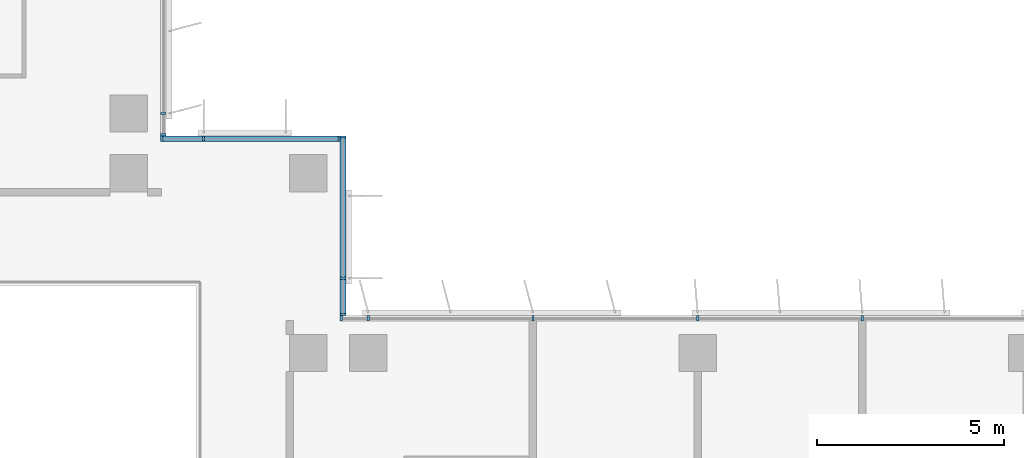
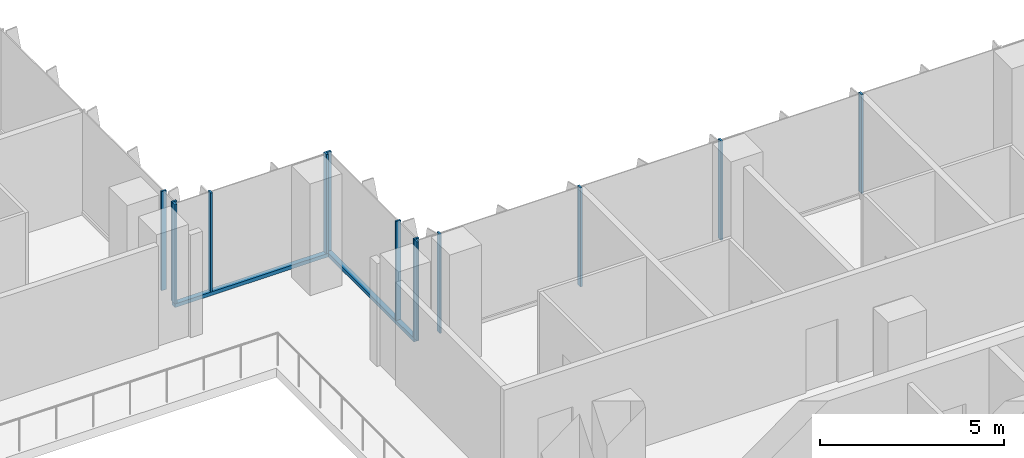
# One storey, part 2 of 21: 15 members, 4 elements without a shape of their own.
"""IFC4 building model written with IfcOpenShell, lengths in metres."""

from ifc_helpers import new_model, si_unit, direction, frame, origin, origin_2d, place, context, subcontext, project, spatial, rectangle, extrude, source, transform, mapped, material, material_profile, profile_set, type_object, element, aggregate, save


model = new_model("IFC4")

# Units and contexts
model_context = context("Model", 3, precision=1e-05, world=origin(), true_north=direction((0.0, 1.0)))
body_context = subcontext(model_context, "Body", "Model", "MODEL_VIEW")
ifc_project = project(units=[si_unit("LENGTHUNIT", "METRE"), si_unit("AREAUNIT", "SQUARE_METRE"), si_unit("VOLUMEUNIT", "CUBIC_METRE"), si_unit("PLANEANGLEUNIT", "RADIAN"), si_unit("MASSUNIT", "GRAM", prefix="KILO")], contexts=[model_context])

# Site, building, storey
site_placement = place(None, origin())
site = spatial("IfcSite", under=ifc_project, at=site_placement, CompositionType="ELEMENT")
building_placement = place(site_placement, origin())
building = spatial("IfcBuilding", under=site, at=building_placement, Name="Kemantara Hotel Tower", CompositionType="ELEMENT")
storey_placement = place(building_placement, frame((0.0, 0.0, 182.699951171875)))
storey = spatial("IfcBuildingStorey", under=building, at=storey_placement, Name="L45", CompositionType="ELEMENT", Elevation=182.699951171875)

# Curtain wall, member
ifc_material_1 = material(Name="Low-E tinted double insulated glass 36 mm", Category="glass")
curtain_wall_type = type_object("IfcCurtainWallType", Name="TOWER CURTAIN WALL, FRONT FACES", PredefinedType="USERDEFINED", material=ifc_material_1)
curtain_wall_1_placement = place(storey_placement, origin())
curtain_wall_1 = element("IfcCurtainWall", 1, at=curtain_wall_1_placement, inside=storey, type_object=curtain_wall_type, Name="CW4 L45 T3-R15-1", ObjectType="TOWER CURTAIN WALL, FRONT FACES", PredefinedType="USERDEFINED")
ifc_material_2 = material(Name="Aluminium 6063-T6 bronze anodised", Category="aluminium")
ifc_material_profile_1 = material_profile(ifc_material_2, rectangle(XDim=0.14990234375, YDim=0.1201171875, at=origin_2d()), Name="TOWER CURTAIN WALL, FRONT FACES TRANSOM")
ifc_profile_set_1 = profile_set([ifc_material_profile_1], Name="Aluminium 6063-T6 bronze anodised")
member_type_1 = type_object("IfcMemberType", Name="TOWER CURTAIN WALL, FRONT FACES TRANSOM", PredefinedType="USERDEFINED", material=ifc_profile_set_1)
member_1_placement = place(storey_placement, frame((26.72509765625, 22.0, 0.06005859375), z_axis=(0.0, 1.0, 0.0), x_axis=(-1.0, 0.0, 0.0)))
member_1 = element("IfcMember", 2, at=member_1_placement, type_object=member_type_1, Name="CW4 sill transom T3-R15-1", ObjectType="TRANSOM", PredefinedType="USERDEFINED", context=body_context, shape_type="SweptSolid", body=[
    extrude(rectangle(XDim=0.14990234375, YDim=0.1201171875, at=origin_2d()), origin(), (0.0, 0.0, 1.0), 4.800048828125),
])

curtain_wall_2_placement = place(storey_placement, origin())
curtain_wall_2 = element("IfcCurtainWall", 3, at=curtain_wall_2_placement, inside=storey, type_object=curtain_wall_type, Name="CW4 L45 T3-R16-1", ObjectType="TOWER CURTAIN WALL, FRONT FACES", PredefinedType="USERDEFINED")
member_2_placement = place(storey_placement, frame((26.64990234375, 26.72509765625, 0.06005859375), z_axis=(-1.0, 0.0, 0.0), x_axis=(0.0, -1.0, 0.0)))
member_2 = element("IfcMember", 4, at=member_2_placement, type_object=member_type_1, Name="CW4 sill transom T3-R16-1", ObjectType="TRANSOM", PredefinedType="USERDEFINED", context=body_context, shape_type="SweptSolid", body=[
    extrude(rectangle(XDim=0.14990234375, YDim=0.1201171875, at=origin_2d()), origin(), (0.0, 0.0, 1.0), 4.7998046875),
])

# Curtain wall, members
curtain_wall_3_placement = place(storey_placement, origin())
curtain_wall_3 = element("IfcCurtainWall", 5, at=curtain_wall_3_placement, inside=storey, type_object=curtain_wall_type, Name="CW4 L45 T3-R14-1", ObjectType="TOWER CURTAIN WALL, FRONT FACES", PredefinedType="USERDEFINED")
ifc_material_profile_2 = material_profile(ifc_material_2, rectangle(XDim=0.14990234375, YDim=0.06005859375, at=origin_2d()), Name="TOWER CURTAIN WALL, FRONT FACES MULLION")
ifc_profile_set_2 = profile_set([ifc_material_profile_2], Name="Aluminium 6063-T6 bronze anodised")
member_type_2 = type_object("IfcMemberType", Name="TOWER CURTAIN WALL, FRONT FACES MULLION", PredefinedType="MULLION", material=ifc_profile_set_2)
shared_shape = source(origin(), body_context, "Body", "SweptSolid", [
    extrude(rectangle(XDim=0.14990234375, YDim=0.06005859375, at=origin_2d()), origin(), (0.0, 0.0, 1.0), 3.280029296875),
])
member_3_placement = place(storey_placement, frame((40.60009765625, 21.925048828125, 0.1201171875), z_axis=(0.0, 0.0, 1.0), x_axis=(0.0, -1.0, 0.0)))
member_3 = element("IfcMember", 6, at=member_3_placement, type_object=member_type_2, Name="CW4 mullion T3-R14-1.6", PredefinedType="MULLION", context=body_context, shape_type="MappedRepresentation", body=[
    mapped(shared_shape, transform((0.0, 0.0, 0.0))),
])
member_4_placement = place(storey_placement, frame((36.199951171875, 21.925048828125, 0.1201171875), z_axis=(0.0, 0.0, 1.0), x_axis=(0.0, -1.0, 0.0)))
member_4 = element("IfcMember", 7, at=member_4_placement, type_object=member_type_2, Name="CW4 mullion T3-R14-1.7", PredefinedType="MULLION", context=body_context, shape_type="MappedRepresentation", body=[
    mapped(shared_shape, transform((0.0, 0.0, 0.0))),
])
member_5_placement = place(storey_placement, frame((31.800048828125, 21.925048828125, 0.1201171875), z_axis=(0.0, 0.0, 1.0), x_axis=(0.0, -1.0, 0.0)))
member_5 = element("IfcMember", 8, at=member_5_placement, type_object=member_type_2, Name="CW4 mullion T3-R14-1.8", PredefinedType="MULLION", context=body_context, shape_type="MappedRepresentation", body=[
    mapped(shared_shape, transform((0.0, 0.0, 0.0))),
])
member_6_placement = place(storey_placement, frame((27.39990234375, 21.925048828125, 0.1201171875), z_axis=(0.0, 0.0, 1.0), x_axis=(0.0, -1.0, 0.0)))
member_6 = element("IfcMember", 9, at=member_6_placement, type_object=member_type_2, Name="CW4 mullion T3-R14-1.9", PredefinedType="MULLION", context=body_context, shape_type="MappedRepresentation", body=[
    mapped(shared_shape, transform((0.0, 0.0, 0.0))),
])
member_7_placement = place(storey_placement, frame((26.679931640625, 21.925048828125, 0.1201171875), z_axis=(0.0, 0.0, 1.0), x_axis=(0.0, -1.0, 0.0)))
member_7 = element("IfcMember", 10, at=member_7_placement, type_object=member_type_2, Name="CW4 mullion T3-R14-1.10", PredefinedType="MULLION", context=body_context, shape_type="MappedRepresentation", body=[
    mapped(shared_shape, transform((0.0, 0.0, 0.0))),
])
aggregate(curtain_wall_3, [member_3, member_4, member_5, member_6, member_7])

# Member
member_8_placement = place(storey_placement, frame((26.72509765625, 22.030029296875, 0.1201171875), z_axis=(0.0, 0.0, 1.0), x_axis=(-1.0, 0.0, 0.0)))
member_8 = element("IfcMember", 11, at=member_8_placement, type_object=member_type_2, Name="CW4 mullion T3-R15-1.1", PredefinedType="MULLION", context=body_context, shape_type="MappedRepresentation", body=[
    mapped(shared_shape, transform((0.0, 0.0, 0.0))),
])

member_9_placement = place(storey_placement, frame((26.72509765625, 23.0, 0.1201171875), z_axis=(0.0, 0.0, 1.0), x_axis=(-1.0, 0.0, 0.0)))
member_9 = element("IfcMember", 12, at=member_9_placement, type_object=member_type_2, Name="CW4 mullion T3-R15-1.2", PredefinedType="MULLION", context=body_context, shape_type="MappedRepresentation", body=[
    mapped(shared_shape, transform((0.0, 0.0, 0.0))),
])

member_10_placement = place(storey_placement, frame((26.72509765625, 26.77001953125, 0.1201171875), z_axis=(0.0, 0.0, 1.0), x_axis=(-1.0, 0.0, 0.0)))
member_10 = element("IfcMember", 13, at=member_10_placement, type_object=member_type_2, Name="CW4 mullion T3-R15-1.3", PredefinedType="MULLION", context=body_context, shape_type="MappedRepresentation", body=[
    mapped(shared_shape, transform((0.0, 0.0, 0.0))),
])

aggregate(curtain_wall_1, [member_1, member_8, member_9, member_10])

member_11_placement = place(storey_placement, frame((26.6201171875, 26.72509765625, 0.1201171875), z_axis=(0.0, 0.0, 1.0), x_axis=(0.0, -1.0, 0.0)))
member_11 = element("IfcMember", 14, at=member_11_placement, type_object=member_type_2, Name="CW4 mullion T3-R16-1.1", PredefinedType="MULLION", context=body_context, shape_type="MappedRepresentation", body=[
    mapped(shared_shape, transform((0.0, 0.0, 0.0))),
])

member_12_placement = place(storey_placement, frame((23.0, 26.72509765625, 0.1201171875), z_axis=(0.0, 0.0, 1.0), x_axis=(0.0, -1.0, 0.0)))
member_12 = element("IfcMember", 15, at=member_12_placement, type_object=member_type_2, Name="CW4 mullion T3-R16-1.2", PredefinedType="MULLION", context=body_context, shape_type="MappedRepresentation", body=[
    mapped(shared_shape, transform((0.0, 0.0, 0.0))),
])

member_13_placement = place(storey_placement, frame((21.8798828125, 26.72509765625, 0.1201171875), z_axis=(0.0, 0.0, 1.0), x_axis=(0.0, -1.0, 0.0)))
member_13 = element("IfcMember", 16, at=member_13_placement, type_object=member_type_2, Name="CW4 mullion T3-R16-1.3", PredefinedType="MULLION", context=body_context, shape_type="MappedRepresentation", body=[
    mapped(shared_shape, transform((0.0, 0.0, 0.0))),
])

aggregate(curtain_wall_2, [member_2, member_11, member_12, member_13])

# Curtain wall, members
curtain_wall_4_placement = place(storey_placement, origin())
curtain_wall_4 = element("IfcCurtainWall", 17, at=curtain_wall_4_placement, inside=storey, type_object=curtain_wall_type, Name="CW4 L45 T3-R17-1", ObjectType="TOWER CURTAIN WALL, FRONT FACES", PredefinedType="USERDEFINED")
member_14_placement = place(storey_placement, frame((21.925048828125, 26.830078125, 0.1201171875), z_axis=(0.0, 0.0, 1.0), x_axis=(-1.0, 0.0, 0.0)))
member_14 = element("IfcMember", 18, at=member_14_placement, type_object=member_type_2, Name="CW4 mullion T3-R17-1.1", PredefinedType="MULLION", context=body_context, shape_type="MappedRepresentation", body=[
    mapped(shared_shape, transform((0.0, 0.0, 0.0))),
])
member_15_placement = place(storey_placement, frame((21.925048828125, 27.39990234375, 0.1201171875), z_axis=(0.0, 0.0, 1.0), x_axis=(-1.0, 0.0, 0.0)))
member_15 = element("IfcMember", 19, at=member_15_placement, type_object=member_type_2, Name="CW4 mullion T3-R17-1.2", PredefinedType="MULLION", context=body_context, shape_type="MappedRepresentation", body=[
    mapped(shared_shape, transform((0.0, 0.0, 0.0))),
])
aggregate(curtain_wall_4, [member_14, member_15])

save(model, "model.ifc")
